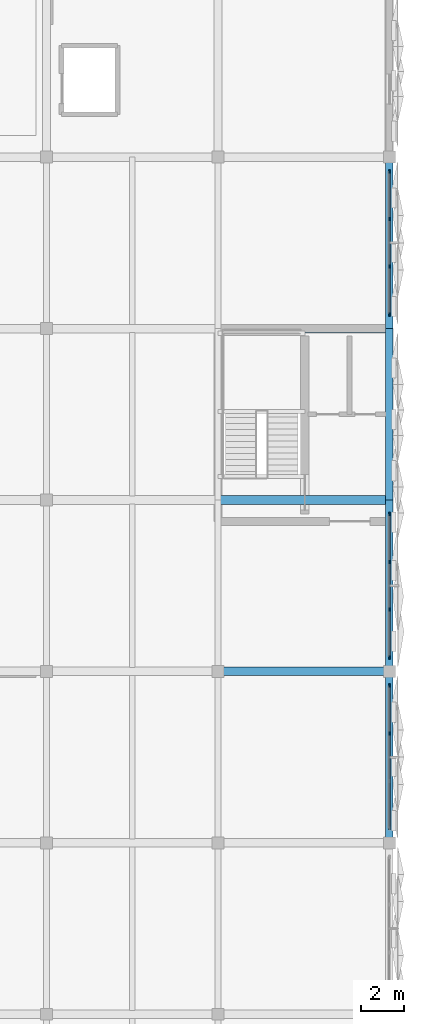
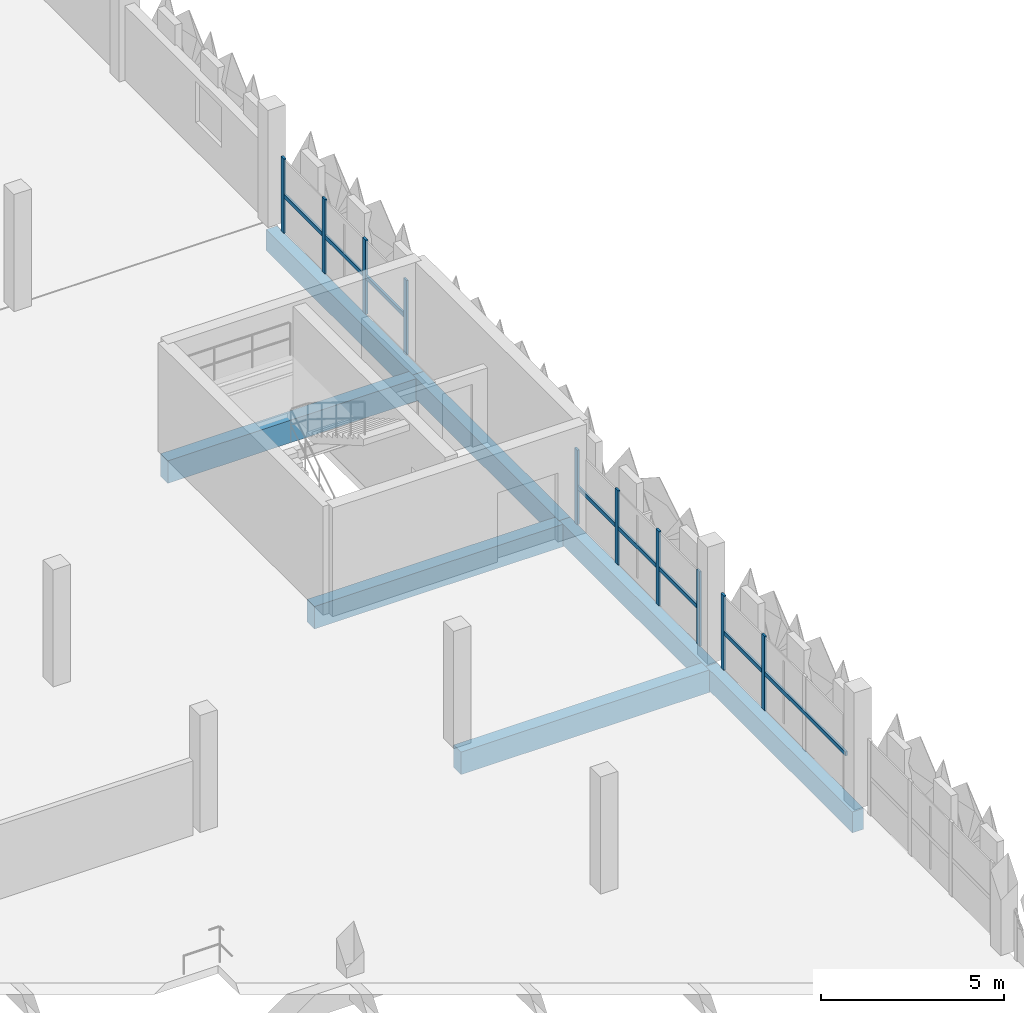
# One storey, part 20 of 83: 13 members, 7 beams, 3 elements without a shape of their own.
"""IFC4 building model written with IfcOpenShell, lengths in metres."""

from ifc_helpers import new_model, si_unit, derived_unit, direction, frame, origin, origin_2d, place, context, subcontext, project, spatial, rectangle, extrude, material, layer, layer_set, material_profile, profile_set, type_object, element, aggregate, save


model = new_model("IFC4")

# Units and contexts
model_context = context("Model", 3, precision=1e-05, world=origin(), true_north=direction((0.0, 1.0)))
body_context = subcontext(model_context, "Body", "Model", "MODEL_VIEW")
ifc_project = project(units=[si_unit("LENGTHUNIT", "METRE"), si_unit("AREAUNIT", "SQUARE_METRE"), si_unit("VOLUMEUNIT", "CUBIC_METRE"), si_unit("PLANEANGLEUNIT", "RADIAN"), si_unit("MASSUNIT", "GRAM", prefix="KILO"), si_unit("THERMODYNAMICTEMPERATUREUNIT", "KELVIN"), derived_unit("THERMALTRANSMITTANCEUNIT", [(si_unit("POWERUNIT", "WATT"), 1), (si_unit("AREAUNIT", "SQUARE_METRE"), -1), (si_unit("THERMODYNAMICTEMPERATUREUNIT", "KELVIN"), -1)])], contexts=[model_context])

# Site, building, storey
site_placement = place(None, origin())
site = spatial("IfcSite", under=ifc_project, at=site_placement, CompositionType="ELEMENT")
building_placement = place(site_placement, origin())
building = spatial("IfcBuilding", under=site, at=building_placement, Name="Haiyu Intermodal Mobility Hub", CompositionType="ELEMENT")
storey_placement = place(building_placement, frame((0.0, 0.0, 13.39990234375)))
storey = spatial("IfcBuildingStorey", under=building, at=storey_placement, Name="L03", CompositionType="ELEMENT", Elevation=13.39990234375)

# Beams
ifc_material_1 = material(Name="Concrete C40", Category="concrete")
ifc_material_profile_1 = material_profile(ifc_material_1, rectangle(XDim=0.39990234375, YDim=0.75, at=origin_2d()), Name="RCB400x750")
ifc_profile_set_1 = profile_set([ifc_material_profile_1], Name="Concrete C40")
beam_type_1 = type_object("IfcBeamType", Name="BM-CB03", PredefinedType="BEAM", material=ifc_profile_set_1)
for number, where, z_axis, x_axis, name in (
    (1, (202.0, 56.0, -0.635009765625), (1.0, 0.0, 0.0), (0.0, 1.0, 0.0), "BM-V5G-L03-041"),
    (2, (202.0, 64.0, -0.635009765625), (1.0, 0.0, 0.0), (0.0, 1.0, 0.0), "BM-V5G-L03-048"),
    (3, (202.0, 72.0, -0.635009765625), (1.0, 0.0, 0.0), (0.0, 1.0, 0.0), "BM-V5G-L03-055"),
):
    element("IfcBeam", number, at=place(storey_placement, frame(where, z_axis=z_axis, x_axis=x_axis)), inside=storey, type_object=beam_type_1, Name=name, PredefinedType="BEAM", context=body_context, shape_type="SweptSolid", body=[
        extrude(rectangle(XDim=0.39990234375, YDim=0.75, at=origin_2d()), origin(), (0.0, 0.0, 1.0), 8.0),
    ])
ifc_material_profile_2 = material_profile(ifc_material_1, rectangle(XDim=0.35009765625, YDim=0.699951171875, at=origin_2d()), Name="RCB350x700")
ifc_profile_set_2 = profile_set([ifc_material_profile_2], Name="Concrete C40")
beam_type_2 = type_object("IfcBeamType", Name="BM-CB06", PredefinedType="BEAM", material=ifc_profile_set_2)
for number, where, z_axis, x_axis, name in (
    (4, (210.0, 48.0, -0.60986328125), (0.0, 1.0, 0.0), (-1.0, 0.0, 0.0), "BM-V5T-L03-060"),
    (5, (210.0, 56.0, -0.60986328125), (0.0, 1.0, 0.0), (-1.0, 0.0, 0.0), "BM-V5T-L03-061"),
    (6, (210.0, 64.0, -0.60986328125), (0.0, 1.0, 0.0), (-1.0, 0.0, 0.0), "BM-V5T-L03-062"),
    (7, (210.0, 72.0, -0.60986328125), (0.0, 1.0, 0.0), (-1.0, 0.0, 0.0), "BM-V5T-L03-063"),
):
    element("IfcBeam", number, at=place(storey_placement, frame(where, z_axis=z_axis, x_axis=x_axis)), inside=storey, type_object=beam_type_2, Name=name, PredefinedType="BEAM", context=body_context, shape_type="SweptSolid", body=[
        extrude(rectangle(XDim=0.35009765625, YDim=0.699951171875, at=origin_2d()), origin(), (0.0, 0.0, 1.0), 8.0),
    ])

# Curtain wall, members
ifc_material_2 = material(Name="Low-e laminated insulating glass", Category="glass")
ifc_layer = layer(ifc_material_2, 0.2099609375)
ifc_layer_set = layer_set([ifc_layer], Name="Low-e laminated insulating glass")
curtain_wall_type = type_object("IfcCurtainWallType", Name="CW-CW04", PredefinedType="NOTDEFINED", material=ifc_layer_set)
curtain_wall_1_placement = place(storey_placement, origin())
curtain_wall_1 = element("IfcCurtainWall", 8, at=curtain_wall_1_placement, inside=storey, type_object=curtain_wall_type, Name="Curtain Wall CW-V5E-L03-126", PredefinedType="NOTDEFINED")
ifc_material_3 = material(Name="Anodised aluminium 6063-T6", Category="aluminium")
ifc_material_profile_3 = material_profile(ifc_material_3, rectangle(XDim=0.06494140625, YDim=0.1650390625, at=origin_2d()), Name="ALU65x165")
ifc_profile_set_3 = profile_set([ifc_material_profile_3], Name="Anodised aluminium 6063-T6")
member_type_1 = type_object("IfcMemberType", Name="CWM-ML02", PredefinedType="MULLION", material=ifc_profile_set_3)
member_1_placement = place(storey_placement, frame((210.0, 53.113037109375, 0.0), z_axis=(0.0, 0.0, 1.0), x_axis=(1.0, 0.0, 0.0)))
member_1 = element("IfcMember", 9, at=member_1_placement, type_object=member_type_1, Name="CW-V5E-L03-126-ML03", PredefinedType="MULLION", context=body_context, shape_type="SweptSolid", body=[
    extrude(rectangle(XDim=0.06494140625, YDim=0.1650390625, at=origin_2d()), origin(), (0.0, 0.0, 1.0), 2.47998046875),
])
member_2_placement = place(storey_placement, frame((210.0, 55.340087890625, 0.0), z_axis=(0.0, 0.0, 1.0), x_axis=(1.0, 0.0, 0.0)))
member_2 = element("IfcMember", 10, at=member_2_placement, type_object=member_type_1, Name="CW-V5E-L03-126-ML04", PredefinedType="MULLION", context=body_context, shape_type="SweptSolid", body=[
    extrude(rectangle(XDim=0.06494140625, YDim=0.1650390625, at=origin_2d()), origin(), (0.0, 0.0, 1.0), 2.47998046875),
])

curtain_wall_2_placement = place(storey_placement, origin())
curtain_wall_2 = element("IfcCurtainWall", 11, at=curtain_wall_2_placement, inside=storey, type_object=curtain_wall_type, Name="Curtain Wall CW-V5E-L03-127", PredefinedType="NOTDEFINED")
member_3_placement = place(storey_placement, frame((210.0, 56.659912109375, 0.0), z_axis=(0.0, 0.0, 1.0), x_axis=(1.0, 0.0, 0.0)))
member_3 = element("IfcMember", 12, at=member_3_placement, type_object=member_type_1, Name="CW-V5E-L03-127-ML01", PredefinedType="MULLION", context=body_context, shape_type="SweptSolid", body=[
    extrude(rectangle(XDim=0.06494140625, YDim=0.1650390625, at=origin_2d()), origin(), (0.0, 0.0, 1.0), 2.47998046875),
])
member_4_placement = place(storey_placement, frame((210.0, 58.886962890625, 0.0), z_axis=(0.0, 0.0, 1.0), x_axis=(1.0, 0.0, 0.0)))
member_4 = element("IfcMember", 13, at=member_4_placement, type_object=member_type_1, Name="CW-V5E-L03-127-ML02", PredefinedType="MULLION", context=body_context, shape_type="SweptSolid", body=[
    extrude(rectangle(XDim=0.06494140625, YDim=0.1650390625, at=origin_2d()), origin(), (0.0, 0.0, 1.0), 2.47998046875),
])
member_5_placement = place(storey_placement, frame((210.0, 61.113037109375, 0.0), z_axis=(0.0, 0.0, 1.0), x_axis=(1.0, 0.0, 0.0)))
member_5 = element("IfcMember", 14, at=member_5_placement, type_object=member_type_1, Name="CW-V5E-L03-127-ML03", PredefinedType="MULLION", context=body_context, shape_type="SweptSolid", body=[
    extrude(rectangle(XDim=0.06494140625, YDim=0.1650390625, at=origin_2d()), origin(), (0.0, 0.0, 1.0), 2.47998046875),
])
member_6_placement = place(storey_placement, frame((210.0, 63.340087890625, 0.0), z_axis=(0.0, 0.0, 1.0), x_axis=(1.0, 0.0, 0.0)))
member_6 = element("IfcMember", 15, at=member_6_placement, type_object=member_type_1, Name="CW-V5E-L03-127-ML04", PredefinedType="MULLION", context=body_context, shape_type="SweptSolid", body=[
    extrude(rectangle(XDim=0.06494140625, YDim=0.1650390625, at=origin_2d()), origin(), (0.0, 0.0, 1.0), 2.47998046875),
])

curtain_wall_3_placement = place(storey_placement, origin())
curtain_wall_3 = element("IfcCurtainWall", 16, at=curtain_wall_3_placement, inside=storey, type_object=curtain_wall_type, Name="Curtain Wall CW-V5E-L03-128", PredefinedType="NOTDEFINED")
member_7_placement = place(storey_placement, frame((210.0, 72.659912109375, 0.0), z_axis=(0.0, 0.0, 1.0), x_axis=(1.0, 0.0, 0.0)))
member_7 = element("IfcMember", 17, at=member_7_placement, type_object=member_type_1, Name="CW-V5E-L03-128-ML01", PredefinedType="MULLION", context=body_context, shape_type="SweptSolid", body=[
    extrude(rectangle(XDim=0.06494140625, YDim=0.1650390625, at=origin_2d()), origin(), (0.0, 0.0, 1.0), 2.47998046875),
])
member_8_placement = place(storey_placement, frame((210.0, 74.886962890625, 0.0), z_axis=(0.0, 0.0, 1.0), x_axis=(1.0, 0.0, 0.0)))
member_8 = element("IfcMember", 18, at=member_8_placement, type_object=member_type_1, Name="CW-V5E-L03-128-ML02", PredefinedType="MULLION", context=body_context, shape_type="SweptSolid", body=[
    extrude(rectangle(XDim=0.06494140625, YDim=0.1650390625, at=origin_2d()), origin(), (0.0, 0.0, 1.0), 2.47998046875),
])
member_9_placement = place(storey_placement, frame((210.0, 77.113037109375, 0.0), z_axis=(0.0, 0.0, 1.0), x_axis=(1.0, 0.0, 0.0)))
member_9 = element("IfcMember", 19, at=member_9_placement, type_object=member_type_1, Name="CW-V5E-L03-128-ML03", PredefinedType="MULLION", context=body_context, shape_type="SweptSolid", body=[
    extrude(rectangle(XDim=0.06494140625, YDim=0.1650390625, at=origin_2d()), origin(), (0.0, 0.0, 1.0), 2.47998046875),
])
member_10_placement = place(storey_placement, frame((210.0, 79.340087890625, 0.0), z_axis=(0.0, 0.0, 1.0), x_axis=(1.0, 0.0, 0.0)))
member_10 = element("IfcMember", 20, at=member_10_placement, type_object=member_type_1, Name="CW-V5E-L03-128-ML04", PredefinedType="MULLION", context=body_context, shape_type="SweptSolid", body=[
    extrude(rectangle(XDim=0.06494140625, YDim=0.1650390625, at=origin_2d()), origin(), (0.0, 0.0, 1.0), 2.47998046875),
])

# Member
ifc_material_profile_4 = material_profile(ifc_material_3, rectangle(XDim=0.06494140625, YDim=0.135009765625, at=origin_2d()), Name="ALU65x135")
ifc_profile_set_4 = profile_set([ifc_material_profile_4], Name="Anodised aluminium 6063-T6")
member_type_2 = type_object("IfcMemberType", Name="CWM-TR02", PredefinedType="USERDEFINED", material=ifc_profile_set_4)
member_11_placement = place(storey_placement, frame((210.0, 48.6201171875, 1.239990234375), z_axis=(0.0, 1.0, 0.0), x_axis=(-1.0, 0.0, 0.0)))
member_11 = element("IfcMember", 21, at=member_11_placement, type_object=member_type_2, Name="CW-V5E-L03-126-TR01", ObjectType="TRANSOM", PredefinedType="USERDEFINED", context=body_context, shape_type="SweptSolid", body=[
    extrude(rectangle(XDim=0.06494140625, YDim=0.135009765625, at=origin_2d()), origin(), (0.0, 0.0, 1.0), 6.759765625),
])

aggregate(curtain_wall_1, [member_1, member_2, member_11])

member_12_placement = place(storey_placement, frame((210.0, 56.6201171875, 1.239990234375), z_axis=(0.0, 1.0, 0.0), x_axis=(-1.0, 0.0, 0.0)))
member_12 = element("IfcMember", 22, at=member_12_placement, type_object=member_type_2, Name="CW-V5E-L03-127-TR01", ObjectType="TRANSOM", PredefinedType="USERDEFINED", context=body_context, shape_type="SweptSolid", body=[
    extrude(rectangle(XDim=0.06494140625, YDim=0.135009765625, at=origin_2d()), origin(), (0.0, 0.0, 1.0), 6.759765625),
])

aggregate(curtain_wall_2, [member_3, member_4, member_5, member_6, member_12])

member_13_placement = place(storey_placement, frame((210.0, 72.6201171875, 1.239990234375), z_axis=(0.0, 1.0, 0.0), x_axis=(-1.0, 0.0, 0.0)))
member_13 = element("IfcMember", 23, at=member_13_placement, type_object=member_type_2, Name="CW-V5E-L03-128-TR01", ObjectType="TRANSOM", PredefinedType="USERDEFINED", context=body_context, shape_type="SweptSolid", body=[
    extrude(rectangle(XDim=0.06494140625, YDim=0.135009765625, at=origin_2d()), origin(), (0.0, 0.0, 1.0), 6.759765625),
])

aggregate(curtain_wall_3, [member_7, member_8, member_9, member_10, member_13])

save(model, "model.ifc")
